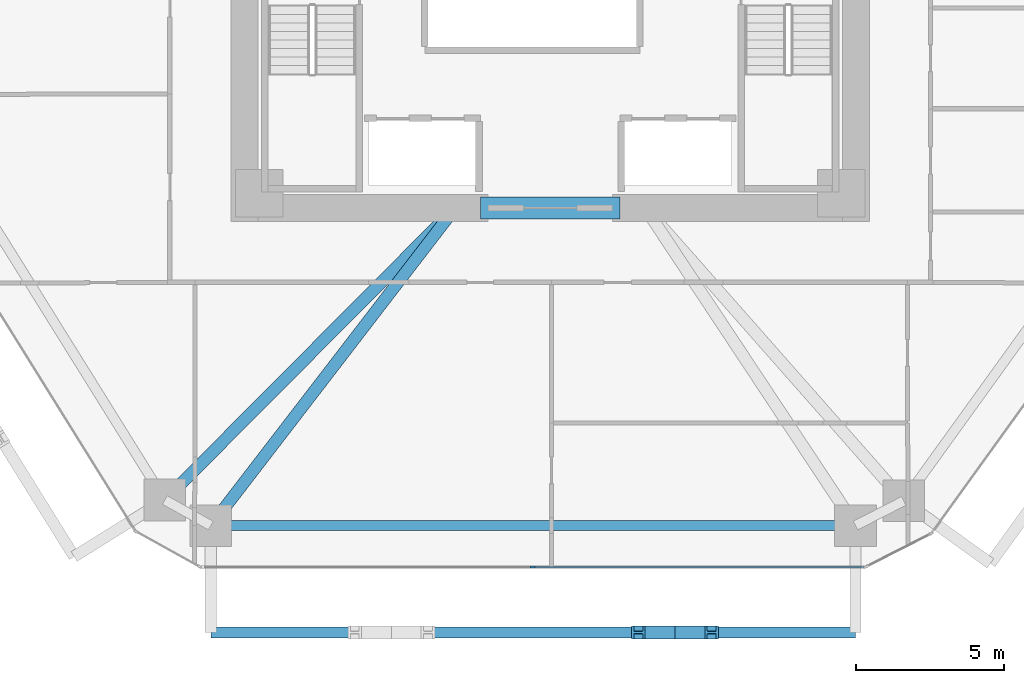
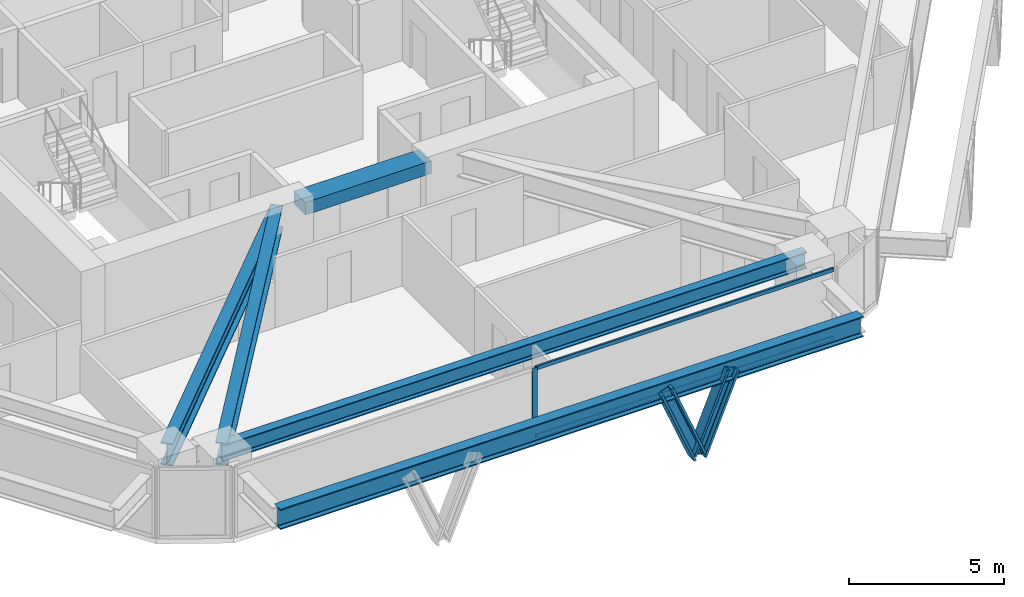
# One storey, part 3 of 15: 5 beams, 5 members, 1 element without a shape of its own.
"""IFC4 building model written with IfcOpenShell, lengths in metres."""

from ifc_helpers import new_model, si_unit, direction, frame, origin, origin_2d, place, context, subcontext, project, spatial, rectangle, i_section, extrude, source, transform, mapped, material, layer, layer_set, material_profile, profile_set, type_object, type_shapes, element, aggregate, save


model = new_model("IFC4")

# Units and contexts
model_context = context("Model", 3, precision=1e-05, world=origin(), true_north=direction((0.0, 1.0)))
body_context = subcontext(model_context, "Body", "Model", "MODEL_VIEW")
ifc_project = project(units=[si_unit("LENGTHUNIT", "METRE"), si_unit("AREAUNIT", "SQUARE_METRE"), si_unit("VOLUMEUNIT", "CUBIC_METRE"), si_unit("PLANEANGLEUNIT", "RADIAN"), si_unit("MASSUNIT", "GRAM", prefix="KILO")], contexts=[model_context])

# Site, building, storey
site_placement = place(None, origin())
site = spatial("IfcSite", under=ifc_project, at=site_placement, CompositionType="ELEMENT")
building_placement = place(site_placement, origin())
building = spatial("IfcBuilding", under=site, at=building_placement, Name="Durnholm Broadcast Tower", CompositionType="ELEMENT")
storey_placement = place(building_placement, frame((0.0, 0.0, 75.300048828125)))
storey = spatial("IfcBuildingStorey", under=building, at=storey_placement, Name="L19", CompositionType="ELEMENT", Elevation=75.300048828125)

# Beams
ifc_material_1 = material(Name="Steel ASTM A992 Grade 50", Category="steel")
ifc_material_profile_1 = material_profile(ifc_material_1, i_section(OverallWidth=0.3291015625, OverallDepth=0.635009765625, WebThickness=0.017822265625, FlangeThickness=0.031005859375, FilletRadius=0.02783203125, at=origin_2d()), Name="W24X162")
ifc_profile_set_1 = profile_set([ifc_material_profile_1], Name="Steel ASTM A992 Grade 50")
beam_type_1 = type_object("IfcBeamType", Name="STL-SP-W24X162", PredefinedType="SPANDREL", material=ifc_profile_set_1)
shared_shape_1 = source(origin(), body_context, "Body", "SweptSolid", [
    extrude(i_section(OverallWidth=0.3291015625, OverallDepth=0.635009765625, WebThickness=0.017822265625, FlangeThickness=0.031005859375, FilletRadius=0.02783203125, at=origin_2d()), origin(), (0.0, 0.0, 1.0), 21.7138671875),
])
type_shapes(beam_type_1, [shared_shape_1])
beam_1_placement = place(storey_placement, frame((10.28271484375, -19.0, 2.427490234375), z_axis=(-1.0, 0.0, 0.0), x_axis=(0.0, -1.0, 0.0)))
element("IfcBeam", 1, at=beam_1_placement, inside=storey, type_object=beam_type_1, Name="L19 perimeter spandrel girder 11", PredefinedType="SPANDREL", context=body_context, shape_type="MappedRepresentation", body=[
    mapped(shared_shape_1, transform((0.0, 0.0, 0.0), x_axis=(1.0, 0.0, 0.0), y_axis=(0.0, 1.0, 0.0), z_axis=(0.0, 0.0, 1.0), scale=1.0)),
])
ifc_material_profile_2 = material_profile(ifc_material_1, i_section(OverallWidth=0.404052734375, OverallDepth=0.885009765625, WebThickness=0.0244140625, FlangeThickness=0.0439453125, FilletRadius=0.03564453125, at=origin_2d()), Name="W33X291")
ifc_profile_set_2 = profile_set([ifc_material_profile_2], Name="Steel ASTM A992 Grade 50")
beam_type_2 = type_object("IfcBeamType", Name="STL-GR-W33X291", PredefinedType="USERDEFINED", material=ifc_profile_set_2)
shared_shape_2 = source(origin(), body_context, "Body", "SweptSolid", [
    extrude(i_section(OverallWidth=0.404052734375, OverallDepth=0.885009765625, WebThickness=0.0244140625, FlangeThickness=0.0439453125, FilletRadius=0.03564453125, at=origin_2d()), origin(), (0.0, 0.0, 1.0), 13.874267578125),
])
beam_2_placement = place(storey_placement, frame((-3.199951171875, -8.300048828125, 2.302490234375), z_axis=(-0.705097917174, -0.709109954237, 0.0), x_axis=(0.709109954237, -0.705097917174, 0.0)))
element("IfcBeam", 2, at=beam_2_placement, inside=storey, type_object=beam_type_2, Name="L19 radial primary floor girder 01", ObjectType="GIRDER", PredefinedType="USERDEFINED", context=body_context, shape_type="MappedRepresentation", body=[
    mapped(shared_shape_2, transform((0.0, 0.0, 0.0), x_axis=(1.0, 0.0, 0.0), y_axis=(0.0, 1.0, 0.0), z_axis=(0.0, 0.0, 1.0), scale=1.0)),
])
shared_shape_3 = source(origin(), body_context, "Body", "SweptSolid", [
    extrude(i_section(OverallWidth=0.404052734375, OverallDepth=0.885009765625, WebThickness=0.0244140625, FlangeThickness=0.0439453125, FilletRadius=0.03564453125, at=origin_2d()), origin(), (0.0, 0.0, 1.0), 13.499755859375),
])
type_shapes(beam_type_2, [shared_shape_2, shared_shape_3])
beam_3_placement = place(storey_placement, frame((-3.199951171875, -8.300048828125, 2.302490234375), z_axis=(-0.609732610412, -0.79260718127, 0.0), x_axis=(0.79260718127, -0.609732610412, 0.0)))
element("IfcBeam", 3, at=beam_3_placement, inside=storey, type_object=beam_type_2, Name="L19 radial primary floor girder 12", ObjectType="GIRDER", PredefinedType="USERDEFINED", context=body_context, shape_type="MappedRepresentation", body=[
    mapped(shared_shape_3, transform((0.0, 0.0, 0.0), x_axis=(1.0, 0.0, 0.0), y_axis=(0.0, 1.0, 0.0), z_axis=(0.0, 0.0, 1.0), scale=1.0)),
])
ifc_material_profile_3 = material_profile(ifc_material_1, i_section(OverallWidth=0.385009765625, OverallDepth=0.802978515625, WebThickness=0.023681640625, FlangeThickness=0.0419921875, FilletRadius=0.032958984375, at=origin_2d()), Name="W30X261")
ifc_profile_set_3 = profile_set([ifc_material_profile_3], Name="Steel ASTM A992 Grade 50")
beam_type_3 = type_object("IfcBeamType", Name="BM-EXO-TIE", PredefinedType="USERDEFINED", material=ifc_profile_set_3)
shared_shape_4 = source(origin(), body_context, "Body", "SweptSolid", [
    extrude(i_section(OverallWidth=0.385009765625, OverallDepth=0.802978515625, WebThickness=0.023681640625, FlangeThickness=0.0419921875, FilletRadius=0.032958984375, at=origin_2d()), origin(), (0.0, 0.0, 1.0), 21.7138671875),
])
type_shapes(beam_type_3, [shared_shape_4])
beam_4_placement = place(storey_placement, frame((-11.43115234375, -22.60009765625, 2.008544921875), z_axis=(1.0, 0.0, 0.0), x_axis=(0.0, 1.0, 0.0)))
element("IfcBeam", 4, at=beam_4_placement, inside=storey, type_object=beam_type_3, Name="L19 exoskeleton collector spandrel F1", PredefinedType="SPANDREL", context=body_context, shape_type="MappedRepresentation", body=[
    mapped(shared_shape_4, transform((0.0, 0.0, 0.0), x_axis=(1.0, 0.0, 0.0), y_axis=(0.0, 1.0, 0.0), z_axis=(0.0, 0.0, 1.0), scale=1.0)),
])
ifc_material_2 = material(Name="Concrete C70/85", Category="concrete")
ifc_material_profile_4 = material_profile(ifc_material_2, rectangle(XDim=0.75, YDim=0.5, at=origin_2d()), Name="RC750X500")
ifc_profile_set_4 = profile_set([ifc_material_profile_4], Name="Concrete C70/85")
beam_type_4 = type_object("IfcBeamType", Name="BM-CB-RC500", PredefinedType="LINTEL", material=ifc_profile_set_4)
shared_shape_5 = source(origin(), body_context, "Body", "SweptSolid", [
    extrude(rectangle(XDim=0.75, YDim=0.5, at=origin_2d()), origin(), (0.0, 0.0, 1.0), 4.7001953125),
])
type_shapes(beam_type_4, [shared_shape_5])
beam_5_placement = place(storey_placement, frame((-2.35009765625, -8.300048828125, 2.5048828125), z_axis=(1.0, 0.0, 0.0), x_axis=(0.0, 1.0, 0.0)))
element("IfcBeam", 5, at=beam_5_placement, inside=storey, type_object=beam_type_4, Name="L19 south core coupling lintel beam CB-S", PredefinedType="LINTEL", context=body_context, shape_type="MappedRepresentation", body=[
    mapped(shared_shape_5, transform((0.0, 0.0, 0.0), x_axis=(1.0, 0.0, 0.0), y_axis=(0.0, 1.0, 0.0), z_axis=(0.0, 0.0, 1.0), scale=1.0)),
])

# Members
ifc_material_3 = material(Name="Steel ASTM A913 Grade 65", Category="steel")
ifc_material_profile_5 = material_profile(ifc_material_3, i_section(OverallWidth=0.43212890625, OverallDepth=0.497802734375, WebThickness=0.0556640625, FlangeThickness=0.0888671875, FilletRadius=0.030517578125, at=origin_2d()), Name="W14X500")
ifc_profile_set_5 = profile_set([ifc_material_profile_5], Name="Steel ASTM A913 Grade 65")
member_type_1 = type_object("IfcMemberType", Name="STL-DG-W14X500", PredefinedType="BRACE", material=ifc_profile_set_5)
shared_shape_6 = source(origin(), body_context, "Body", "SweptSolid", [
    extrude(i_section(OverallWidth=0.43212890625, OverallDepth=0.497802734375, WebThickness=0.0556640625, FlangeThickness=0.0888671875, FilletRadius=0.030517578125, at=origin_2d()), origin(), (0.0, 0.0, 1.0), 3.243896484375),
])
type_shapes(member_type_1, [shared_shape_6])
for number, where, z_axis, x_axis, name in (
    (6, (4.202880859375, -22.60009765625, -0.991455078125), (-0.380378804119, 0.0, 0.924830776616), (0.0, -1.0, 0.0), "L19 stand-off diagrid brace F1.D2.1"),
    (7, (4.202880859375, -22.60009765625, -0.991455078125), (0.380378804119, 0.0, 0.924830776616), (0.0, 1.0, 0.0), "L19 stand-off diagrid brace F1.D2.2"),
):
    element("IfcMember", number, at=place(storey_placement, frame(where, z_axis=z_axis, x_axis=x_axis)), inside=storey, type_object=member_type_1, Name=name, PredefinedType="BRACE", context=body_context, shape_type="MappedRepresentation", body=[
        mapped(shared_shape_6, transform((0.0, 0.0, 0.0), x_axis=(1.0, 0.0, 0.0), y_axis=(0.0, 1.0, 0.0), z_axis=(0.0, 0.0, 1.0), scale=1.0)),
    ])

# Curtain wall, members
ifc_material_4 = material(Name="Aluminium and Solar Control IGU", Category="aluminium")
ifc_layer = layer(ifc_material_4, 0.18994140625)
ifc_layer_set = layer_set([ifc_layer], Name="Aluminium and Solar Control IGU")
curtain_wall_type = type_object("IfcCurtainWallType", Name="CW-SYS-3", PredefinedType="NOTDEFINED", material=ifc_layer_set)
curtain_wall_placement = place(storey_placement, origin())
curtain_wall = element("IfcCurtainWall", 8, at=curtain_wall_placement, inside=storey, type_object=curtain_wall_type, Name="L19 curtain wall CW-Z12-VIS CW-L19-F10", PredefinedType="NOTDEFINED")
ifc_material_5 = material(Name="Aluminium 6063-T6", Category="aluminium")
ifc_material_profile_6 = material_profile(ifc_material_5, rectangle(XDim=0.070068359375, YDim=0.14990234375, at=origin_2d()), Name="CWT70X150")
ifc_profile_set_6 = profile_set([ifc_material_profile_6], Name="Aluminium 6063-T6")
member_type_2 = type_object("IfcMemberType", Name="CW-SYS-3-TRN", PredefinedType="USERDEFINED", material=ifc_profile_set_6)
shared_shape_7 = source(origin(), body_context, "Body", "SweptSolid", [
    extrude(rectangle(XDim=0.070068359375, YDim=0.14990234375, at=origin_2d()), origin(), (0.0, 0.0, 1.0), 11.10205078125),
])
type_shapes(member_type_2, [shared_shape_7])
member_1_placement = place(storey_placement, frame((10.55029296875, -20.39990234375, 0.034912109375), z_axis=(-1.0, 0.0, 0.0), x_axis=(0.0, -1.0, 0.0)))
member_1 = element("IfcMember", 9, at=member_1_placement, type_object=member_type_2, Name="CW-Z12-VIS transom 1.1", ObjectType="TRANSOM", PredefinedType="USERDEFINED", context=body_context, shape_type="MappedRepresentation", body=[
    mapped(shared_shape_7, transform((0.0, 0.0, 0.0), x_axis=(1.0, 0.0, 0.0), y_axis=(0.0, 1.0, 0.0), z_axis=(0.0, 0.0, 1.0), scale=1.0)),
])
member_2_placement = place(storey_placement, frame((10.55029296875, -20.39990234375, 2.724853515625), z_axis=(-1.0, 0.0, 0.0), x_axis=(0.0, -1.0, 0.0)))
member_2 = element("IfcMember", 10, at=member_2_placement, type_object=member_type_2, Name="CW-Z12-VIS transom 1.2", ObjectType="TRANSOM", PredefinedType="USERDEFINED", context=body_context, shape_type="MappedRepresentation", body=[
    mapped(shared_shape_7, transform((0.0, 0.0, 0.0), x_axis=(1.0, 0.0, 0.0), y_axis=(0.0, 1.0, 0.0), z_axis=(0.0, 0.0, 1.0), scale=1.0)),
])
ifc_material_profile_7 = material_profile(ifc_material_5, rectangle(XDim=0.070068359375, YDim=0.18994140625, at=origin_2d()), Name="CWM70X190")
ifc_profile_set_7 = profile_set([ifc_material_profile_7], Name="Aluminium 6063-T6")
member_type_3 = type_object("IfcMemberType", Name="CW-SYS-3-MUL", PredefinedType="MULLION", material=ifc_profile_set_7)
shared_shape_8 = source(origin(), body_context, "Body", "SweptSolid", [
    extrude(rectangle(XDim=0.070068359375, YDim=0.18994140625, at=origin_2d()), origin(), (0.0, 0.0, 1.0), 2.760009765625),
])
type_shapes(member_type_3, [shared_shape_8])
member_3_placement = place(storey_placement, frame((-0.5869140625, -20.39990234375, 0.0), z_axis=(0.0, 0.0, 1.0), x_axis=(0.0, -1.0, 0.0)))
member_3 = element("IfcMember", 11, at=member_3_placement, type_object=member_type_3, Name="CW-Z12-VIS mullion 2", PredefinedType="MULLION", context=body_context, shape_type="MappedRepresentation", body=[
    mapped(shared_shape_8, transform((0.0, 0.0, 0.0), x_axis=(1.0, 0.0, 0.0), y_axis=(0.0, 1.0, 0.0), z_axis=(0.0, 0.0, 1.0), scale=1.0)),
])
aggregate(curtain_wall, [member_3, member_1, member_2])

save(model, "model.ifc")
